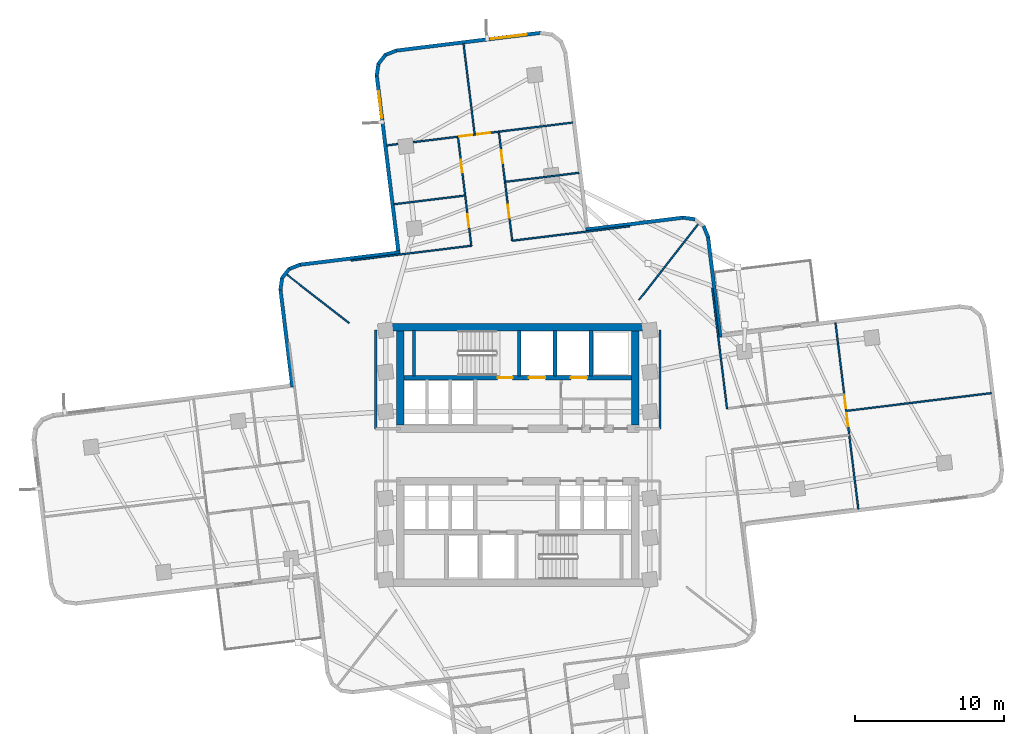
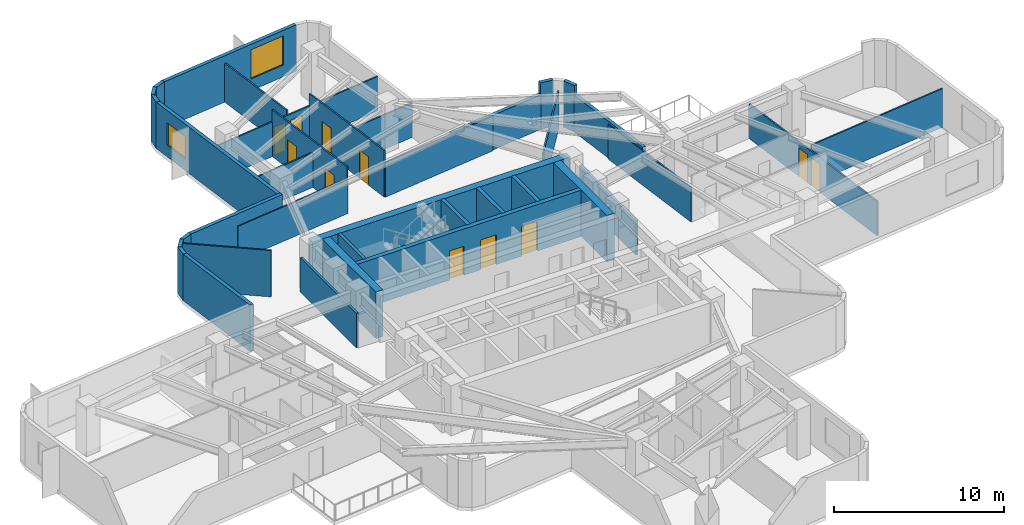
# One storey, part 5 of 9: 37 walls, 11 doors, 2 windows, 13 openings.
"""IFC4 building model written with IfcOpenShell, lengths in metres."""

from ifc_helpers import new_model, si_unit, direction, frame, frame_2d, origin, place, context, subcontext, project, spatial, rectangle, extrude, material, layer, layer_set, type_object, element, fill, save


model = new_model("IFC4")

# Units and contexts
model_context = context("Model", 3, precision=1e-05, world=origin(), true_north=direction((0.0, 1.0)))
body_context = subcontext(model_context, "Body", "Model", "MODEL_VIEW")
ifc_project = project(units=[si_unit("LENGTHUNIT", "METRE"), si_unit("AREAUNIT", "SQUARE_METRE"), si_unit("VOLUMEUNIT", "CUBIC_METRE"), si_unit("PLANEANGLEUNIT", "RADIAN"), si_unit("MASSUNIT", "GRAM", prefix="KILO")], contexts=[model_context])

# Site, building, storey
site_placement = place(None, origin())
site = spatial("IfcSite", under=ifc_project, at=site_placement, CompositionType="ELEMENT")
building_placement = place(site_placement, origin())
building = spatial("IfcBuilding", under=site, at=building_placement, Name="Solmarez Civic Tower", CompositionType="ELEMENT")
storey_placement = place(building_placement, frame((0.0, 0.0, 78.47998046875)))
storey = spatial("IfcBuildingStorey", under=building, at=storey_placement, Name="L20", CompositionType="ELEMENT", Elevation=78.47998046875)

# Walls
ifc_material_1 = material(Name="Concrete C60/75", Category="concrete")
ifc_layer_1 = layer(ifc_material_1, 0.5)
ifc_layer_set_1 = layer_set([ifc_layer_1], Name="Concrete C60/75")
wall_type_1 = type_object("IfcWallType", Name="WALL-CORE-500", PredefinedType="SHEAR", material=ifc_layer_set_1)
wall_1_placement = place(storey_placement, frame((-8.780029296875, 8.56005859375, 0.0), z_axis=(0.0, 0.0, 1.0), x_axis=(1.0, 0.0, 0.0)))
element("IfcWall", 1, at=wall_1_placement, inside=storey, type_object=wall_type_1, Name="L20 Split-Core Structural Wall NCW-N-L20", PredefinedType="SHEAR", context=body_context, shape_type="SweptSolid", body=[
    extrude(rectangle(XDim=17.56005859375, YDim=0.5, at=frame_2d((8.780029296875, 0.0))), origin(), (0.0, 0.0, 1.0), 3.340087890625),
])
for number, where, z_axis, x_axis, name in (
    (2, (-7.8701171875, 2.0, 0.0), (0.0, 0.0, 1.0), (0.0, 1.0, 0.0), "L20 Split-Core Structural Wall NCW-W-L20"),
    (3, (7.8701171875, 8.31005859375, 0.0), (0.0, 0.0, 1.0), (0.0, -1.0, 0.0), "L20 Split-Core Structural Wall NCW-E-L20"),
):
    element("IfcWall", number, at=place(storey_placement, frame(where, z_axis=z_axis, x_axis=x_axis)), inside=storey, type_object=wall_type_1, Name=name, PredefinedType="SHEAR", context=body_context, shape_type="SweptSolid", body=[
        extrude(rectangle(XDim=6.31005859375, YDim=0.5, at=frame_2d((3.155029296875, 0.0))), origin(), (0.0, 0.0, 1.0), 3.340087890625),
    ])
ifc_material_2 = material(Name="Precast concrete C40/50", Category="concrete")
ifc_layer_2 = layer(ifc_material_2, 0.239990234375)
ifc_layer_set_2 = layer_set([ifc_layer_2], Name="Precast concrete C40/50")
wall_type_2 = type_object("IfcWallType", Name="WALL-EXT-240", PredefinedType="SOLIDWALL", material=ifc_layer_set_2)
wall_2_placement = place(storey_placement, frame((-15.097900390625, 4.55810546875, 0.0), z_axis=(0.0, 0.0, 1.0), x_axis=(-0.121938646341, 0.992537639855, 0.0)))
element("IfcWall", 4, at=wall_2_placement, inside=storey, type_object=wall_type_2, Name="L20 Exterior Precast Wall 13", PredefinedType="SOLIDWALL", context=body_context, shape_type="SweptSolid", body=[
    extrude(rectangle(XDim=6.59521484375, YDim=0.239990234375, at=frame_2d((3.297607421875, 0.0))), origin(), (0.0, 0.0, 1.0), 3.340087890625),
])
wall_3_placement = place(storey_placement, frame((-15.902099609375, 11.053955078125, 0.0), z_axis=(0.0, 0.0, 1.0), x_axis=(0.138376981782, 0.990379629694, 0.0)))
element("IfcWall", 5, at=wall_3_placement, inside=storey, type_object=wall_type_2, Name="L20 Exterior Precast Wall 14", PredefinedType="SOLIDWALL", context=body_context, shape_type="SweptSolid", body=[
    extrude(rectangle(XDim=0.8310546875, YDim=0.239990234375, at=frame_2d((0.41552734375, 0.0))), origin(), (0.0, 0.0, 1.0), 3.340087890625),
])
wall_4_placement = place(storey_placement, frame((-15.804931640625, 11.83203125, 0.0), z_axis=(0.0, 0.0, 1.0), x_axis=(0.614397431824, 0.788996702001, 0.0)))
element("IfcWall", 6, at=wall_4_placement, inside=storey, type_object=wall_type_2, Name="L20 Exterior Precast Wall 15", PredefinedType="SOLIDWALL", context=body_context, shape_type="SweptSolid", body=[
    extrude(rectangle(XDim=0.813720703125, YDim=0.239990234375, at=frame_2d((0.40673828125, 0.0))), origin(), (0.0, 0.0, 1.0), 3.340087890625),
])
wall_5_placement = place(storey_placement, frame((-15.343017578125, 12.445068359375, 0.0), z_axis=(0.0, 0.0, 1.0), x_axis=(0.927724225254, 0.37326634174, 0.0)))
element("IfcWall", 7, at=wall_5_placement, inside=storey, type_object=wall_type_2, Name="L20 Exterior Precast Wall 16", PredefinedType="SOLIDWALL", context=body_context, shape_type="SweptSolid", body=[
    extrude(rectangle(XDim=0.830078125, YDim=0.239990234375, at=frame_2d((0.4150390625, 0.0))), origin(), (0.0, 0.0, 1.0), 3.340087890625),
])
wall_6_placement = place(storey_placement, frame((-14.62109375, 12.742919921875, 0.0), z_axis=(0.0, 0.0, 1.0), x_axis=(0.992536263595, 0.121949848087, 0.0)))
element("IfcWall", 8, at=wall_6_placement, inside=storey, type_object=wall_type_2, Name="L20 Exterior Precast Wall 17", PredefinedType="SOLIDWALL", context=body_context, shape_type="SweptSolid", body=[
    extrude(rectangle(XDim=6.774658203125, YDim=0.239990234375, at=frame_2d((3.38720703125, 0.0))), origin(), (0.0, 0.0, 1.0), 3.340087890625),
])

# Wall, opening, window
wall_7_placement = place(storey_placement, frame((-7.97998046875, 13.4619140625, 0.0), z_axis=(0.0, 0.0, 1.0), x_axis=(-0.12189689255, 0.992542768644, 0.0)))
wall_7 = element("IfcWall", 9, at=wall_7_placement, inside=storey, type_object=wall_type_2, Name="L20 Exterior Precast Wall 20", PredefinedType="SOLIDWALL", context=body_context, shape_type="SweptSolid", body=[
    extrude(rectangle(XDim=12.0751953125, YDim=0.239990234375, at=frame_2d((6.03759765625, 0.0))), origin(), (0.0, 0.0, 1.0), 3.340087890625),
])
opening_1_placement = place(wall_7_placement, frame((9.175048828125, 0.0, 0.85009765625)))
opening_1 = element("IfcOpeningElement", 10, at=opening_1_placement, cuts=wall_7, Name="Opening W-12", PredefinedType="OPENING", context=body_context, shape_type="SweptSolid", body=[
    extrude(rectangle(XDim=1.800048828125, YDim=1.60009765625, at=frame_2d((0.89990234375, 0.800048828125))), frame((0.0, 0.1298828125, 0.0), z_axis=(0.0, -1.0, 0.0), x_axis=(1.0, 0.0, 0.0)), (0.0, 0.0, 1.0), 0.260009765625),
])
ifc_material_3 = material(Name="Solar Control Bronze-Tinted Insulating Glass", Category="glass")
window_type_1 = type_object("IfcWindowType", Name="WIN-1800X1600", PartitioningType="SINGLE_PANEL", PredefinedType="WINDOW", material=ifc_material_3)
window_1_placement = place(opening_1_placement, origin())
window_1 = element("IfcWindow", 11, at=window_1_placement, inside=storey, type_object=window_type_1, Name="L20 Exterior Facade Window 20", OverallHeight=1.60009765625, OverallWidth=1.800048828125, PartitioningType="SINGLE_PANEL", PredefinedType="WINDOW", context=body_context, shape_type="SweptSolid", body=[
    extrude(rectangle(XDim=1.800048828125, YDim=1.60009765625, at=frame_2d((0.89990234375, 0.800048828125))), frame((0.0, 0.030029296875, 0.0), z_axis=(0.0, -1.0, 0.0), x_axis=(1.0, 0.0, 0.0)), (0.0, 0.0, 1.0), 0.06005859375),
])
fill(opening_1, window_1)

# Walls
wall_8_placement = place(storey_placement, frame((-9.451904296875, 25.39697265625, 0.0), z_axis=(0.0, 0.0, 1.0), x_axis=(0.138376981782, 0.990379629694, 0.0)))
element("IfcWall", 12, at=wall_8_placement, inside=storey, type_object=wall_type_2, Name="L20 Exterior Precast Wall 21", PredefinedType="SOLIDWALL", context=body_context, shape_type="SweptSolid", body=[
    extrude(rectangle(XDim=0.8310546875, YDim=0.239990234375, at=frame_2d((0.41552734375, 0.0))), origin(), (0.0, 0.0, 1.0), 3.340087890625),
])
wall_9_placement = place(storey_placement, frame((-9.35498046875, 26.175048828125, 0.0), z_axis=(0.0, 0.0, 1.0), x_axis=(0.614542882467, 0.788883416995, 0.0)))
element("IfcWall", 13, at=wall_9_placement, inside=storey, type_object=wall_type_2, Name="L20 Exterior Precast Wall 22", PredefinedType="SOLIDWALL", context=body_context, shape_type="SweptSolid", body=[
    extrude(rectangle(XDim=0.813720703125, YDim=0.239990234375, at=frame_2d((0.40673828125, 0.0))), origin(), (0.0, 0.0, 1.0), 3.340087890625),
])
wall_10_placement = place(storey_placement, frame((-8.89306640625, 26.7880859375, 0.0), z_axis=(0.0, 0.0, 1.0), x_axis=(0.927724225254, 0.37326634174, 0.0)))
element("IfcWall", 14, at=wall_10_placement, inside=storey, type_object=wall_type_2, Name="L20 Exterior Precast Wall 23", PredefinedType="SOLIDWALL", context=body_context, shape_type="SweptSolid", body=[
    extrude(rectangle(XDim=0.830078125, YDim=0.239990234375, at=frame_2d((0.4150390625, 0.0))), origin(), (0.0, 0.0, 1.0), 3.340087890625),
])

# Wall, opening, window
wall_11_placement = place(storey_placement, frame((-8.1708984375, 27.0859375, 0.0), z_axis=(0.0, 0.0, 1.0), x_axis=(0.992545782156, 0.121872352585, 0.0)))
wall_11 = element("IfcWall", 15, at=wall_11_placement, inside=storey, type_object=wall_type_2, Name="L20 Exterior Precast Wall 24", PredefinedType="SOLIDWALL", context=body_context, shape_type="SweptSolid", body=[
    extrude(rectangle(XDim=9.7978515625, YDim=0.239990234375, at=frame_2d((4.89892578125, 0.0))), origin(), (0.0, 0.0, 1.0), 3.340087890625),
])
opening_2_placement = place(wall_11_placement, frame((6.44189453125, 0.0, 0.85009765625)))
opening_2 = element("IfcOpeningElement", 16, at=opening_2_placement, cuts=wall_11, Name="Opening W-02", PredefinedType="OPENING", context=body_context, shape_type="SweptSolid", body=[
    extrude(rectangle(XDim=2.39990234375, YDim=2.10009765625, at=frame_2d((1.199951171875, 1.050048828125))), frame((0.0, 0.1298828125, 0.0), z_axis=(0.0, -1.0, 0.0), x_axis=(1.0, 0.0, 0.0)), (0.0, 0.0, 1.0), 0.260009765625),
])
window_type_2 = type_object("IfcWindowType", Name="WIN-2400X2100", PartitioningType="SINGLE_PANEL", PredefinedType="WINDOW", material=ifc_material_3)
window_2_placement = place(opening_2_placement, origin())
window_2 = element("IfcWindow", 17, at=window_2_placement, inside=storey, type_object=window_type_2, Name="L20 Exterior Facade Window 24", OverallHeight=2.10009765625, OverallWidth=2.39990234375, PartitioningType="SINGLE_PANEL", PredefinedType="WINDOW", context=body_context, shape_type="SweptSolid", body=[
    extrude(rectangle(XDim=2.39990234375, YDim=2.10009765625, at=frame_2d((1.199951171875, 1.050048828125))), frame((0.0, 0.030029296875, 0.0), z_axis=(0.0, -1.0, 0.0), x_axis=(1.0, 0.0, 0.0)), (0.0, 0.0, 1.0), 0.06005859375),
])
fill(opening_2, window_2)

# Walls
wall_12_placement = place(storey_placement, frame((4.55810546875, 15.097900390625, 0.0), z_axis=(0.0, 0.0, 1.0), x_axis=(0.992537639855, 0.121938646341, 0.0)))
element("IfcWall", 18, at=wall_12_placement, inside=storey, type_object=wall_type_2, Name="L20 Exterior Precast Wall 31", PredefinedType="SOLIDWALL", context=body_context, shape_type="SweptSolid", body=[
    extrude(rectangle(XDim=6.59521484375, YDim=0.239990234375, at=frame_2d((3.297607421875, 0.0))), origin(), (0.0, 0.0, 1.0), 2.486083984375),
])
wall_13_placement = place(storey_placement, frame((11.053955078125, 15.902099609375, 0.0), z_axis=(0.0, 0.0, 1.0), x_axis=(0.990379629694, -0.138376981782, 0.0)))
element("IfcWall", 19, at=wall_13_placement, inside=storey, type_object=wall_type_2, Name="L20 Exterior Precast Wall 32", PredefinedType="SOLIDWALL", context=body_context, shape_type="SweptSolid", body=[
    extrude(rectangle(XDim=0.8310546875, YDim=0.239990234375, at=frame_2d((0.41552734375, 0.0))), origin(), (0.0, 0.0, 1.0), 3.340087890625),
])
wall_14_placement = place(storey_placement, frame((12.445068359375, 15.343017578125, 0.0), z_axis=(0.0, 0.0, 1.0), x_axis=(0.37326634174, -0.927724225254, 0.0)))
element("IfcWall", 20, at=wall_14_placement, inside=storey, type_object=wall_type_2, Name="L20 Exterior Precast Wall 34", PredefinedType="SOLIDWALL", context=body_context, shape_type="SweptSolid", body=[
    extrude(rectangle(XDim=0.830078125, YDim=0.239990234375, at=frame_2d((0.4150390625, 0.0))), origin(), (0.0, 0.0, 1.0), 3.340087890625),
])
wall_15_placement = place(storey_placement, frame((12.742919921875, 14.62109375, 0.0), z_axis=(0.0, 0.0, 1.0), x_axis=(0.121949848087, -0.992536263595, 0.0)))
element("IfcWall", 21, at=wall_15_placement, inside=storey, type_object=wall_type_2, Name="L20 Exterior Precast Wall 35", PredefinedType="SOLIDWALL", context=body_context, shape_type="SweptSolid", body=[
    extrude(rectangle(XDim=6.774658203125, YDim=0.239990234375, at=frame_2d((3.38720703125, 0.0))), origin(), (0.0, 0.0, 1.0), 2.64404296875),
])
ifc_material_4 = material(Name="Gypsum Board Acoustic Steel-Stud Partition", Category="steel")
ifc_layer_3 = layer(ifc_material_4, 0.14990234375)
ifc_layer_set_3 = layer_set([ifc_layer_3], Name="Gypsum Board Acoustic Steel-Stud Partition")
wall_type_3 = type_object("IfcWallType", Name="WALL-INT-FIRE-150", PredefinedType="PARTITIONING", material=ifc_layer_set_3)
for number, where, z_axis, x_axis, name in (
    (22, (-9.52001953125, 1.75, 0.0), (0.0, 0.0, 1.0), (0.0, 1.0, 0.0), "L20 Interior Partition CHW-L20-WN1"),
    (23, (9.52001953125, 1.75, 0.0), (0.0, 0.0, 1.0), (0.0, 1.0, 0.0), "L20 Interior Partition CHW-L20-EN1"),
):
    element("IfcWall", number, at=place(storey_placement, frame(where, z_axis=z_axis, x_axis=x_axis)), inside=storey, type_object=wall_type_3, Name=name, PredefinedType="PARTITIONING", context=body_context, shape_type="SweptSolid", body=[
        extrude(rectangle(XDim=6.6298828125, YDim=0.14990234375, at=frame_2d((3.31494140625, 0.0))), origin(), (0.0, 0.0, 1.0), 2.486083984375),
    ])
ifc_layer_4 = layer(ifc_material_4, 0.10009765625)
ifc_layer_set_4 = layer_set([ifc_layer_4], Name="Gypsum Board Acoustic Steel-Stud Partition")
wall_type_4 = type_object("IfcWallType", Name="WALL-INT-PART-100", PredefinedType="PARTITIONING", material=ifc_layer_set_4)
wall_16_placement = place(storey_placement, frame((8.110107421875, 10.3798828125, 0.0), z_axis=(0.0, 0.0, 1.0), x_axis=(0.615665236773, 0.788007814828, 0.0)))
element("IfcWall", 24, at=wall_16_placement, inside=storey, type_object=wall_type_4, Name="L20 Interior Partition PT-L20-QDIV-1", PredefinedType="PARTITIONING", context=body_context, shape_type="SweptSolid", body=[
    extrude(rectangle(XDim=6.482421875, YDim=0.10009765625, at=frame_2d((3.2412109375, 0.0))), origin(), (0.0, 0.0, 1.0), 2.64404296875),
])
wall_17_placement = place(storey_placement, frame((-11.300048828125, 8.8291015625, 0.0), z_axis=(0.0, 0.0, 1.0), x_axis=(-0.788014623364, 0.61565652223, 0.0)))
element("IfcWall", 25, at=wall_17_placement, inside=storey, type_object=wall_type_4, Name="L20 Interior Partition PT-L20-QDIV-2", PredefinedType="PARTITIONING", context=body_context, shape_type="SweptSolid", body=[
    extrude(rectangle(XDim=5.314697265625, YDim=0.10009765625, at=frame_2d((2.6572265625, 0.0))), origin(), (0.0, 0.0, 1.0), 3.340087890625),
])
wall_18_placement = place(storey_placement, frame((14.01708984375, 3.10107421875, 0.0), z_axis=(0.0, 0.0, 1.0), x_axis=(-0.122045971517, 0.992524448483, 0.0)))
element("IfcWall", 26, at=wall_18_placement, inside=storey, type_object=wall_type_4, Name="L20 Interior Partition PT-L20-E-EFL", PredefinedType="PARTITIONING", context=body_context, shape_type="SweptSolid", body=[
    extrude(rectangle(XDim=8.129638671875, YDim=0.10009765625, at=frame_2d((4.06494140625, 0.0))), origin(), (0.0, 0.0, 1.0), 2.486083984375),
])
wall_19_placement = place(storey_placement, frame((22.06396484375, 2.9609375, 0.0), z_axis=(0.0, 0.0, 1.0), x_axis=(0.992550160931, 0.121836685916, 0.0)))
element("IfcWall", 27, at=wall_19_placement, inside=storey, type_object=wall_type_4, Name="L20 Interior Partition PT-L20-E-TM", PredefinedType="PARTITIONING", context=body_context, shape_type="SweptSolid", body=[
    extrude(rectangle(XDim=9.734619140625, YDim=0.10009765625, at=frame_2d((4.8671875, 0.0))), origin(), (0.0, 0.0, 1.0), 2.79296875),
])

# Wall, openings, doors
wall_20_placement = place(storey_placement, frame((21.279052734375, 8.85400390625, 0.0), z_axis=(0.0, 0.0, 1.0), x_axis=(0.121878209661, -0.992545062962, 0.0)))
wall_20 = element("IfcWall", 28, at=wall_20_placement, inside=storey, type_object=wall_type_4, Name="L20 Interior Partition PT-L20-E-END", PredefinedType="PARTITIONING", context=body_context, shape_type="SweptSolid", body=[
    extrude(rectangle(XDim=12.56982421875, YDim=0.10009765625, at=frame_2d((6.284912109375, 0.0))), origin(), (0.0, 0.0, 1.0), 2.486083984375),
])
opening_3_placement = place(wall_20_placement, frame((6.114990234375, 0.0, 0.0)))
opening_3 = element("IfcOpeningElement", 29, at=opening_3_placement, cuts=wall_20, Name="Opening D-14", PredefinedType="OPENING", context=body_context, shape_type="SweptSolid", body=[
    extrude(rectangle(XDim=0.860107421875, YDim=2.0400390625, at=frame_2d((0.43017578125, 1.02001953125))), frame((0.0, 0.06005859375, 0.0), z_axis=(0.0, -1.0, 0.0), x_axis=(1.0, 0.0, 0.0)), (0.0, 0.0, 1.0), 0.1201171875),
])
opening_4_placement = place(wall_20_placement, frame((4.9150390625, 0.0, 0.0)))
opening_4 = element("IfcOpeningElement", 30, at=opening_4_placement, cuts=wall_20, Name="Opening D-14", PredefinedType="OPENING", context=body_context, shape_type="SweptSolid", body=[
    extrude(rectangle(XDim=0.860107421875, YDim=2.0400390625, at=frame_2d((0.43017578125, 1.02001953125))), frame((0.0, 0.06005859375, 0.0), z_axis=(0.0, -1.0, 0.0), x_axis=(1.0, 0.0, 0.0)), (0.0, 0.0, 1.0), 0.1201171875),
])
ifc_material_5 = material(Name="Timber Storage and Pantry Door", Category="wood")
door_type_1 = type_object("IfcDoorType", Name="DOOR-INT-850", OperationType="NOTDEFINED", PredefinedType="DOOR", material=ifc_material_5)
door_1_placement = place(opening_3_placement, origin())
door_1 = element("IfcDoor", 31, at=door_1_placement, inside=storey, type_object=door_type_1, Name="L20 Delegates Study Lounge Sixth East Door", OperationType="SINGLE_SWING_RIGHT", OverallHeight=2.0400390625, OverallWidth=0.860107421875, PredefinedType="DOOR", context=body_context, shape_type="SweptSolid", body=[
    extrude(rectangle(XDim=0.860107421875, YDim=2.0400390625, at=frame_2d((0.43017578125, 1.02001953125))), frame((0.0, 0.02490234375, 0.0), z_axis=(0.0, -1.0, 0.0), x_axis=(1.0, 0.0, 0.0)), (0.0, 0.0, 1.0), 0.050048828125),
])
fill(opening_3, door_1)
door_2_placement = place(opening_4_placement, origin())
door_2 = element("IfcDoor", 32, at=door_2_placement, inside=storey, type_object=door_type_1, Name="L20 Public Reading Room Fifth East Door", OperationType="SINGLE_SWING_LEFT", OverallHeight=2.0400390625, OverallWidth=0.860107421875, PredefinedType="DOOR", context=body_context, shape_type="SweptSolid", body=[
    extrude(rectangle(XDim=0.860107421875, YDim=2.0400390625, at=frame_2d((0.43017578125, 1.02001953125))), frame((0.0, 0.02490234375, 0.0), z_axis=(0.0, -1.0, 0.0), x_axis=(1.0, 0.0, 0.0)), (0.0, 0.0, 1.0), 0.050048828125),
])
fill(opening_4, door_2)

# Walls
wall_21_placement = place(storey_placement, frame((-3.10107421875, 14.01708984375, 0.0), z_axis=(0.0, 0.0, 1.0), x_axis=(-0.992524448483, -0.122045971517, 0.0)))
element("IfcWall", 33, at=wall_21_placement, inside=storey, type_object=wall_type_4, Name="L20 Interior Partition PT-L20-N-EFL", PredefinedType="PARTITIONING", context=body_context, shape_type="SweptSolid", body=[
    extrude(rectangle(XDim=8.129638671875, YDim=0.10009765625, at=frame_2d((4.06494140625, 0.0))), origin(), (0.0, 0.0, 1.0), 2.486083984375),
])
wall_22_placement = place(storey_placement, frame((7.509033203125, 15.320068359375, 0.0), z_axis=(0.0, 0.0, 1.0), x_axis=(-0.992529957607, -0.122001160868, 0.0)))
element("IfcWall", 34, at=wall_22_placement, inside=storey, type_object=wall_type_4, Name="L20 Interior Partition PT-L20-N-EFR", PredefinedType="PARTITIONING", context=body_context, shape_type="SweptSolid", body=[
    extrude(rectangle(XDim=7.950439453125, YDim=0.10009765625, at=frame_2d((3.97509765625, 0.0))), origin(), (0.0, 0.0, 1.0), 2.486083984375),
])
wall_23_placement = place(storey_placement, frame((-3.5439453125, 17.3779296875, 0.0), z_axis=(0.0, 0.0, 1.0), x_axis=(-0.992530372873, -0.121997782455, 0.0)))
element("IfcWall", 35, at=wall_23_placement, inside=storey, type_object=wall_type_4, Name="L20 Interior Partition PT-L20-N-LM", PredefinedType="PARTITIONING", context=body_context, shape_type="SweptSolid", body=[
    extrude(rectangle(XDim=4.794921875, YDim=0.10009765625, at=frame_2d((2.3974609375, 0.0))), origin(), (0.0, 0.0, 1.0), 2.486083984375),
])
wall_24_placement = place(storey_placement, frame((4.10205078125, 18.90087890625, 0.0), z_axis=(0.0, 0.0, 1.0), x_axis=(-0.992554700093, -0.121799701653, 0.0)))
element("IfcWall", 36, at=wall_24_placement, inside=storey, type_object=wall_type_4, Name="L20 Interior Partition PT-L20-N-RM", PredefinedType="PARTITIONING", context=body_context, shape_type="SweptSolid", body=[
    extrude(rectangle(XDim=4.97509765625, YDim=0.10009765625, at=frame_2d((2.487548828125, 0.0))), origin(), (0.0, 0.0, 1.0), 2.486083984375),
])

# Wall, openings, doors
wall_25_placement = place(storey_placement, frame((-4.008056640625, 21.320068359375, 0.0), z_axis=(0.0, 0.0, 1.0), x_axis=(0.12187066259, -0.992545989665, 0.0)))
wall_25 = element("IfcWall", 37, at=wall_25_placement, inside=storey, type_object=wall_type_4, Name="L20 Interior Partition PT-L20-N-SL", PredefinedType="PARTITIONING", context=body_context, shape_type="SweptSolid", body=[
    extrude(rectangle(XDim=7.360107421875, YDim=0.10009765625, at=frame_2d((3.68017578125, 0.0))), origin(), (0.0, 0.0, 1.0), 3.340087890625),
])
opening_5_placement = place(wall_25_placement, frame((5.235107421875, 0.0, 0.0)))
opening_5 = element("IfcOpeningElement", 38, at=opening_5_placement, cuts=wall_25, Name="Opening D-14", PredefinedType="OPENING", context=body_context, shape_type="SweptSolid", body=[
    extrude(rectangle(XDim=0.860107421875, YDim=2.0400390625, at=frame_2d((0.43017578125, 1.02001953125))), frame((0.0, 0.06005859375, 0.0), z_axis=(0.0, -1.0, 0.0), x_axis=(1.0, 0.0, 0.0)), (0.0, 0.0, 1.0), 0.1201171875),
])
opening_6_placement = place(wall_25_placement, frame((1.554931640625, 0.0, 0.0)))
opening_6 = element("IfcOpeningElement", 39, at=opening_6_placement, cuts=wall_25, Name="Opening D-14", PredefinedType="OPENING", context=body_context, shape_type="SweptSolid", body=[
    extrude(rectangle(XDim=0.860107421875, YDim=2.0400390625, at=frame_2d((0.43017578125, 1.02001953125))), frame((0.0, 0.06005859375, 0.0), z_axis=(0.0, -1.0, 0.0), x_axis=(1.0, 0.0, 0.0)), (0.0, 0.0, 1.0), 0.1201171875),
])
door_3_placement = place(opening_5_placement, origin())
door_3 = element("IfcDoor", 40, at=door_3_placement, inside=storey, type_object=door_type_1, Name="L20 Citizen Legal Clinic First North Door", OperationType="SINGLE_SWING_LEFT", OverallHeight=2.0400390625, OverallWidth=0.860107421875, PredefinedType="DOOR", context=body_context, shape_type="SweptSolid", body=[
    extrude(rectangle(XDim=0.860107421875, YDim=2.0400390625, at=frame_2d((0.43017578125, 1.02001953125))), frame((0.0, 0.02490234375, 0.0), z_axis=(0.0, -1.0, 0.0), x_axis=(1.0, 0.0, 0.0)), (0.0, 0.0, 1.0), 0.050048828125),
])
fill(opening_5, door_3)
door_4_placement = place(opening_6_placement, origin())
door_4 = element("IfcDoor", 41, at=door_4_placement, inside=storey, type_object=door_type_1, Name="L20 Public Reading Room Second North Door", OperationType="SINGLE_SWING_RIGHT", OverallHeight=2.0400390625, OverallWidth=0.860107421875, PredefinedType="DOOR", context=body_context, shape_type="SweptSolid", body=[
    extrude(rectangle(XDim=0.860107421875, YDim=2.0400390625, at=frame_2d((0.43017578125, 1.02001953125))), frame((0.0, 0.02490234375, 0.0), z_axis=(0.0, -1.0, 0.0), x_axis=(1.0, 0.0, 0.0)), (0.0, 0.0, 1.0), 0.050048828125),
])
fill(opening_6, door_4)

wall_26_placement = place(storey_placement, frame((-0.3720703125, 14.35205078125, 0.0), z_axis=(0.0, 0.0, 1.0), x_axis=(-0.121874675173, 0.992545496968, 0.0)))
wall_26 = element("IfcWall", 42, at=wall_26_placement, inside=storey, type_object=wall_type_4, Name="L20 Interior Partition PT-L20-N-SR", PredefinedType="PARTITIONING", context=body_context, shape_type="SweptSolid", body=[
    extrude(rectangle(XDim=7.35986328125, YDim=0.10009765625, at=frame_2d((3.679931640625, 0.0))), origin(), (0.0, 0.0, 1.0), 3.340087890625),
])
opening_7_placement = place(wall_26_placement, frame((1.554931640625, 0.0, 0.0)))
opening_7 = element("IfcOpeningElement", 43, at=opening_7_placement, cuts=wall_26, Name="Opening D-14", PredefinedType="OPENING", context=body_context, shape_type="SweptSolid", body=[
    extrude(rectangle(XDim=0.860107421875, YDim=2.0400390625, at=frame_2d((0.43017578125, 1.02001953125))), frame((0.0, 0.06005859375, 0.0), z_axis=(0.0, -1.0, 0.0), x_axis=(1.0, 0.0, 0.0)), (0.0, 0.0, 1.0), 0.1201171875),
])
opening_8_placement = place(wall_26_placement, frame((5.235107421875, 0.0, 0.0)))
opening_8 = element("IfcOpeningElement", 44, at=opening_8_placement, cuts=wall_26, Name="Opening D-14", PredefinedType="OPENING", context=body_context, shape_type="SweptSolid", body=[
    extrude(rectangle(XDim=0.860107421875, YDim=2.0400390625, at=frame_2d((0.43017578125, 1.02001953125))), frame((0.0, 0.06005859375, 0.0), z_axis=(0.0, -1.0, 0.0), x_axis=(1.0, 0.0, 0.0)), (0.0, 0.0, 1.0), 0.1201171875),
])
door_5_placement = place(opening_7_placement, origin())
door_5 = element("IfcDoor", 45, at=door_5_placement, inside=storey, type_object=door_type_1, Name="L20 Delegates Study Lounge Third North Door", OperationType="SINGLE_SWING_RIGHT", OverallHeight=2.0400390625, OverallWidth=0.860107421875, PredefinedType="DOOR", context=body_context, shape_type="SweptSolid", body=[
    extrude(rectangle(XDim=0.860107421875, YDim=2.0400390625, at=frame_2d((0.43017578125, 1.02001953125))), frame((0.0, 0.02490234375, 0.0), z_axis=(0.0, -1.0, 0.0), x_axis=(1.0, 0.0, 0.0)), (0.0, 0.0, 1.0), 0.050048828125),
])
fill(opening_7, door_5)
door_6_placement = place(opening_8_placement, origin())
door_6 = element("IfcDoor", 46, at=door_6_placement, inside=storey, type_object=door_type_1, Name="L20 Wellness Fitness Room Fourth North Door", OperationType="SINGLE_SWING_LEFT", OverallHeight=2.0400390625, OverallWidth=0.860107421875, PredefinedType="DOOR", context=body_context, shape_type="SweptSolid", body=[
    extrude(rectangle(XDim=0.860107421875, YDim=2.0400390625, at=frame_2d((0.43017578125, 1.02001953125))), frame((0.0, 0.02490234375, 0.0), z_axis=(0.0, -1.0, 0.0), x_axis=(1.0, 0.0, 0.0)), (0.0, 0.0, 1.0), 0.050048828125),
])
fill(opening_8, door_6)

# Wall
wall_27_placement = place(storey_placement, frame((-2.89404296875, 21.51806640625, 0.0), z_axis=(0.0, 0.0, 1.0), x_axis=(-0.121787270839, 0.992556225441, 0.0)))
element("IfcWall", 47, at=wall_27_placement, inside=storey, type_object=wall_type_4, Name="L20 Interior Partition PT-L20-N-TM", PredefinedType="PARTITIONING", context=body_context, shape_type="SweptSolid", body=[
    extrude(rectangle(XDim=6.084228515625, YDim=0.10009765625, at=frame_2d((3.0419921875, 0.0))), origin(), (0.0, 0.0, 1.0), 2.79296875),
])

# Wall, openings, doors
wall_28_placement = place(storey_placement, frame((-8.787109375, 20.73291015625, 0.0), z_axis=(0.0, 0.0, 1.0), x_axis=(0.992533310633, 0.121973879511, 0.0)))
wall_28 = element("IfcWall", 48, at=wall_28_placement, inside=storey, type_object=wall_type_4, Name="L20 Interior Partition PT-L20-N-END", PredefinedType="PARTITIONING", context=body_context, shape_type="SweptSolid", body=[
    extrude(rectangle(XDim=12.56982421875, YDim=0.10009765625, at=frame_2d((6.284912109375, 0.0))), origin(), (0.0, 0.0, 1.0), 2.486083984375),
])
opening_9_placement = place(wall_28_placement, frame((6.114990234375, 0.0, 0.0)))
opening_9 = element("IfcOpeningElement", 49, at=opening_9_placement, cuts=wall_28, Name="Opening D-14", PredefinedType="OPENING", context=body_context, shape_type="SweptSolid", body=[
    extrude(rectangle(XDim=0.860107421875, YDim=2.0400390625, at=frame_2d((0.43017578125, 1.02001953125))), frame((0.0, 0.06005859375, 0.0), z_axis=(0.0, -1.0, 0.0), x_axis=(1.0, 0.0, 0.0)), (0.0, 0.0, 1.0), 0.1201171875),
])
opening_10_placement = place(wall_28_placement, frame((4.9150390625, 0.0, 0.0)))
opening_10 = element("IfcOpeningElement", 50, at=opening_10_placement, cuts=wall_28, Name="Opening D-14", PredefinedType="OPENING", context=body_context, shape_type="SweptSolid", body=[
    extrude(rectangle(XDim=0.860107421875, YDim=2.0400390625, at=frame_2d((0.43017578125, 1.02001953125))), frame((0.0, 0.06005859375, 0.0), z_axis=(0.0, -1.0, 0.0), x_axis=(1.0, 0.0, 0.0)), (0.0, 0.0, 1.0), 0.1201171875),
])
door_7_placement = place(opening_9_placement, origin())
door_7 = element("IfcDoor", 51, at=door_7_placement, inside=storey, type_object=door_type_1, Name="L20 Wellness Fitness Room Sixth North Door", OperationType="SINGLE_SWING_RIGHT", OverallHeight=2.0400390625, OverallWidth=0.860107421875, PredefinedType="DOOR", context=body_context, shape_type="SweptSolid", body=[
    extrude(rectangle(XDim=0.860107421875, YDim=2.0400390625, at=frame_2d((0.43017578125, 1.02001953125))), frame((0.0, 0.02490234375, 0.0), z_axis=(0.0, -1.0, 0.0), x_axis=(1.0, 0.0, 0.0)), (0.0, 0.0, 1.0), 0.050048828125),
])
fill(opening_9, door_7)
door_8_placement = place(opening_10_placement, origin())
door_8 = element("IfcDoor", 52, at=door_8_placement, inside=storey, type_object=door_type_1, Name="L20 Delegates Study Lounge Fifth North Door", OperationType="SINGLE_SWING_LEFT", OverallHeight=2.0400390625, OverallWidth=0.860107421875, PredefinedType="DOOR", context=body_context, shape_type="SweptSolid", body=[
    extrude(rectangle(XDim=0.860107421875, YDim=2.0400390625, at=frame_2d((0.43017578125, 1.02001953125))), frame((0.0, 0.02490234375, 0.0), z_axis=(0.0, -1.0, 0.0), x_axis=(1.0, 0.0, 0.0)), (0.0, 0.0, 1.0), 0.050048828125),
])
fill(opening_10, door_8)

ifc_material_6 = material(Name="Concrete C50/60", Category="concrete")
ifc_layer_5 = layer(ifc_material_6, 0.300048828125)
ifc_layer_set_5 = layer_set([ifc_layer_5], Name="Concrete C50/60")
wall_type_5 = type_object("IfcWallType", Name="WALL-STR-300", PredefinedType="SOLIDWALL", material=ifc_layer_set_5)
wall_29_placement = place(storey_placement, frame((7.6201171875, 5.179931640625, 0.0), z_axis=(0.0, 0.0, 1.0), x_axis=(-1.0, 0.0, 0.0)))
wall_29 = element("IfcWall", 53, at=wall_29_placement, inside=storey, type_object=wall_type_5, Name="L20 Split-Core Structural Wall NCW-M-L20", PredefinedType="SOLIDWALL", context=body_context, shape_type="SweptSolid", body=[
    extrude(rectangle(XDim=15.240234375, YDim=0.300048828125, at=frame_2d((7.6201171875, 0.0))), origin(), (0.0, 0.0, 1.0), 3.340087890625),
])
opening_11_placement = place(wall_29_placement, frame((5.77001953125, 0.0, 0.0)))
opening_11 = element("IfcOpeningElement", 54, at=opening_11_placement, cuts=wall_29, Name="Opening LD-02", PredefinedType="OPENING", context=body_context, shape_type="SweptSolid", body=[
    extrude(rectangle(XDim=1.10009765625, YDim=2.14990234375, at=frame_2d((0.550048828125, 1.074951171875))), frame((0.0, 0.159912109375, 0.0), z_axis=(0.0, -1.0, 0.0), x_axis=(1.0, 0.0, 0.0)), (0.0, 0.0, 1.0), 0.320068359375),
])
opening_12_placement = place(wall_29_placement, frame((2.969970703125, 0.0, 0.0)))
opening_12 = element("IfcOpeningElement", 55, at=opening_12_placement, cuts=wall_29, Name="Opening LD-03", PredefinedType="OPENING", context=body_context, shape_type="SweptSolid", body=[
    extrude(rectangle(XDim=1.10009765625, YDim=2.14990234375, at=frame_2d((0.550048828125, 1.074951171875))), frame((0.0, 0.159912109375, 0.0), z_axis=(0.0, -1.0, 0.0), x_axis=(1.0, 0.0, 0.0)), (0.0, 0.0, 1.0), 0.320068359375),
])
opening_13_placement = place(wall_29_placement, frame((7.969970703125, 0.0, 0.0)))
opening_13 = element("IfcOpeningElement", 56, at=opening_13_placement, cuts=wall_29, Name="Opening D-05", PredefinedType="OPENING", context=body_context, shape_type="SweptSolid", body=[
    extrude(rectangle(XDim=1.0, YDim=2.10009765625, at=frame_2d((0.5, 1.050048828125))), frame((0.0, 0.159912109375, 0.0), z_axis=(0.0, -1.0, 0.0), x_axis=(1.0, 0.0, 0.0)), (0.0, 0.0, 1.0), 0.320068359375),
])
ifc_material_7 = material(Name="Fire-Rated Stairwell Exit Door", Category="wood")
door_type_2 = type_object("IfcDoorType", Name="DOOR-FD90-1000", OperationType="NOTDEFINED", PredefinedType="DOOR", material=ifc_material_7)
door_9_placement = place(opening_13_placement, origin())
door_9 = element("IfcDoor", 57, at=door_9_placement, inside=storey, type_object=door_type_2, Name="L20 North Exit Stair Door ST-1", OperationType="SINGLE_SWING_LEFT", OverallHeight=2.10009765625, OverallWidth=1.0, PredefinedType="DOOR", context=body_context, shape_type="SweptSolid", body=[
    extrude(rectangle(XDim=1.0, YDim=2.10009765625, at=frame_2d((0.5, 1.050048828125))), frame((0.0, 0.02490234375, 0.0), z_axis=(0.0, -1.0, 0.0), x_axis=(1.0, 0.0, 0.0)), (0.0, 0.0, 1.0), 0.050048828125),
])
fill(opening_13, door_9)
ifc_material_8 = material(Name="Stainless Firefighting Lift Landing Sliding Door", Category="aluminium")
door_type_3 = type_object("IfcDoorType", Name="DOOR-LD-FF-1100", OperationType="DOUBLE_DOOR_SLIDING", PredefinedType="DOOR", material=ifc_material_8)
door_10_placement = place(opening_11_placement, origin())
door_10 = element("IfcDoor", 58, at=door_10_placement, inside=storey, type_object=door_type_3, Name="L20 Firefighting Lift Landing Door FFL-1", OperationType="DOUBLE_DOOR_SLIDING", OverallHeight=2.14990234375, OverallWidth=1.10009765625, PredefinedType="DOOR", context=body_context, shape_type="SweptSolid", body=[
    extrude(rectangle(XDim=1.10009765625, YDim=2.14990234375, at=frame_2d((0.550048828125, 1.074951171875))), frame((0.0, 0.02490234375, 0.0), z_axis=(0.0, -1.0, 0.0), x_axis=(1.0, 0.0, 0.0)), (0.0, 0.0, 1.0), 0.050048828125),
])
fill(opening_11, door_10)
ifc_material_9 = material(Name="Stainless Stretcher Lift Landing Sliding Door", Category="aluminium")
door_type_4 = type_object("IfcDoorType", Name="DOOR-LD-SV-1100", OperationType="DOUBLE_DOOR_SLIDING", PredefinedType="DOOR", material=ifc_material_9)
door_11_placement = place(opening_12_placement, origin())
door_11 = element("IfcDoor", 59, at=door_11_placement, inside=storey, type_object=door_type_4, Name="L20 Service Stretcher Lift Landing Door SVL-1", OperationType="DOUBLE_DOOR_SLIDING", OverallHeight=2.14990234375, OverallWidth=1.10009765625, PredefinedType="DOOR", context=body_context, shape_type="SweptSolid", body=[
    extrude(rectangle(XDim=1.10009765625, YDim=2.14990234375, at=frame_2d((0.550048828125, 1.074951171875))), frame((0.0, 0.02490234375, 0.0), z_axis=(0.0, -1.0, 0.0), x_axis=(1.0, 0.0, 0.0)), (0.0, 0.0, 1.0), 0.050048828125),
])
fill(opening_12, door_11)

# Walls
wall_30_placement = place(storey_placement, frame((-6.949951171875, 5.280029296875, 0.0), z_axis=(0.0, 0.0, 1.0), x_axis=(0.0, 1.0, 0.0)))
element("IfcWall", 60, at=wall_30_placement, inside=storey, type_object=wall_type_5, Name="L20 Split-Core Structural Wall SHW-NW-L20", PredefinedType="SOLIDWALL", context=body_context, shape_type="SweptSolid", body=[
    extrude(rectangle(XDim=3.06005859375, YDim=0.219970703125, at=frame_2d((1.530029296875, 0.0))), origin(), (0.0, 0.0, 1.0), 3.340087890625),
])
for number, where, z_axis, x_axis, name in (
    (61, (0.10009765625, 5.300048828125, 0.0), (0.0, 0.0, 1.0), (0.0, 1.0, 0.0), "L20 Split-Core Structural Wall SHW-N1-L20"),
    (62, (2.5, 5.300048828125, 0.0), (0.0, 0.0, 1.0), (0.0, 1.0, 0.0), "L20 Split-Core Structural Wall SHW-N2-L20"),
    (63, (4.89990234375, 5.300048828125, 0.0), (0.0, 0.0, 1.0), (0.0, 1.0, 0.0), "L20 Split-Core Structural Wall SHW-N3-L20"),
):
    element("IfcWall", number, at=place(storey_placement, frame(where, z_axis=z_axis, x_axis=x_axis)), inside=storey, type_object=wall_type_5, Name=name, PredefinedType="SOLIDWALL", context=body_context, shape_type="SweptSolid", body=[
        extrude(rectangle(XDim=3.0400390625, YDim=0.25, at=frame_2d((1.52001953125, 0.0))), origin(), (0.0, 0.0, 1.0), 3.340087890625),
    ])

save(model, "model.ifc")
